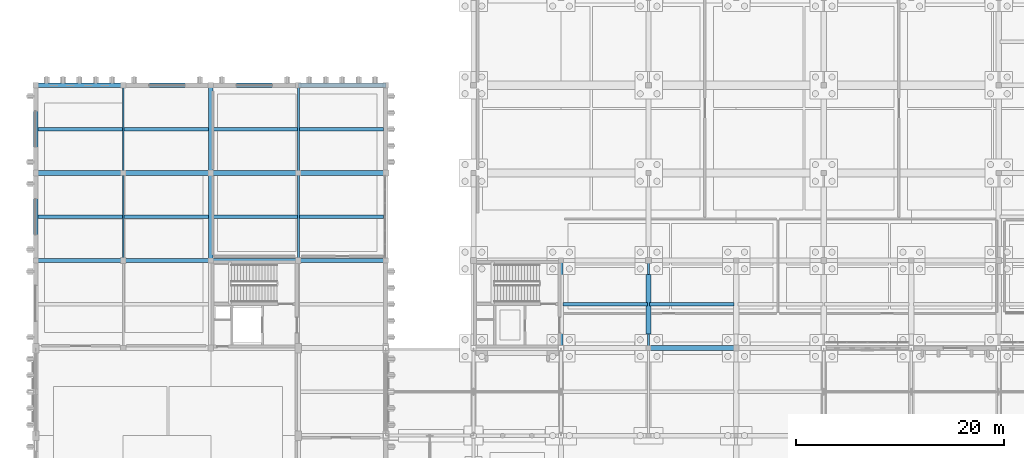
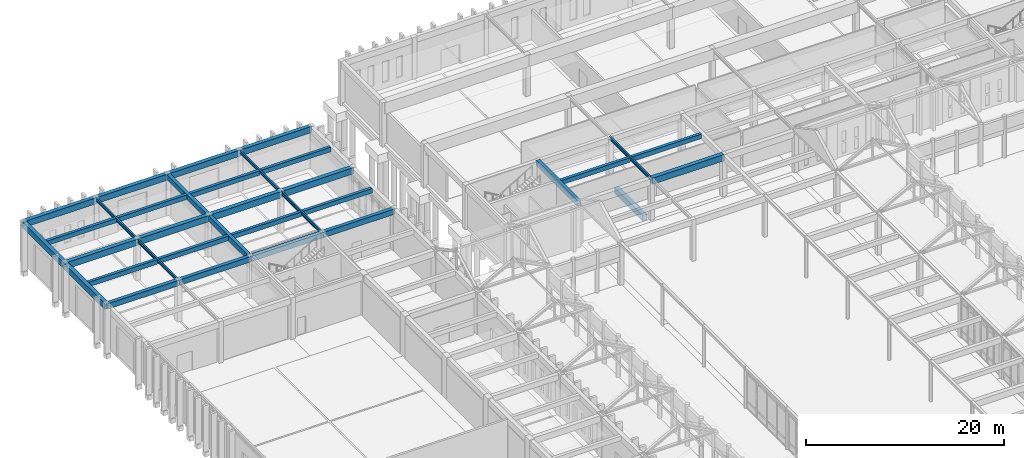
# One storey, part 54 of 143: 34 beams.
"""IFC4 building model written with IfcOpenShell, lengths in metres."""

from ifc_helpers import new_model, si_unit, direction, frame, origin, origin_2d, place, context, subcontext, project, spatial, rectangle, i_section, extrude, material, material_profile, profile_set, type_object, element, save


model = new_model("IFC4")

# Units and contexts
model_context = context("Model", 3, precision=1e-05, world=origin(), true_north=direction((0.0, 1.0)))
body_context = subcontext(model_context, "Body", "Model", "MODEL_VIEW")
ifc_project = project(units=[si_unit("LENGTHUNIT", "METRE"), si_unit("AREAUNIT", "SQUARE_METRE"), si_unit("VOLUMEUNIT", "CUBIC_METRE"), si_unit("PLANEANGLEUNIT", "RADIAN"), si_unit("MASSUNIT", "GRAM", prefix="KILO")], contexts=[model_context])

# Site, building, storey
site_placement = place(None, origin())
site = spatial("IfcSite", under=ifc_project, at=site_placement, CompositionType="ELEMENT")
building_placement = place(site_placement, origin())
building = spatial("IfcBuilding", under=site, at=building_placement, Name="Kveldsbrygga Polytechnic", CompositionType="ELEMENT")
storey_placement = place(building_placement, origin())
storey = spatial("IfcBuildingStorey", under=building, at=storey_placement, Name="L00", CompositionType="ELEMENT", Elevation=0.0)

# Beams
ifc_material_1 = material(Name="Concrete C35/45", Category="concrete")
ifc_material_profile_1 = material_profile(ifc_material_1, rectangle(XDim=0.39990234375, YDim=0.64990234375, at=origin_2d()), Name="RC 400x650")
ifc_profile_set_1 = profile_set([ifc_material_profile_1], Name="Concrete C35/45")
beam_type_1 = type_object("IfcBeamType", Name="BM-RC-400x650", PredefinedType="BEAM", material=ifc_profile_set_1)
beam_1_placement = place(storey_placement, frame((16.800048828125, 92.39990234375, 4.77490234375), z_axis=(0.0, 1.0, 0.0), x_axis=(-1.0, 0.0, 0.0)))
element("IfcBeam", 1, at=beam_1_placement, inside=storey, type_object=beam_type_1, Name="Primary Beam BMY-L00-02-11to12", PredefinedType="BEAM", context=body_context, shape_type="SweptSolid", body=[
    extrude(rectangle(XDim=0.39990234375, YDim=0.64990234375, at=origin_2d()), origin(), (0.0, 0.0, 1.0), 8.400146484375),
])
for number, where, z_axis, x_axis, name in (
    (2, (16.800048828125, 100.800048828125, 4.77490234375), (0.0, 1.0, 0.0), (-1.0, 0.0, 0.0), "Primary Beam BMY-L00-02-12to13"),
    (3, (50.39990234375, 84.0, 4.81494140625), (0.0, 1.0, 0.0), (-1.0, 0.0, 0.0), "Primary Beam BMY-L00-06-10to11"),
):
    element("IfcBeam", number, at=place(storey_placement, frame(where, z_axis=z_axis, x_axis=x_axis)), inside=storey, type_object=beam_type_1, Name=name, PredefinedType="BEAM", context=body_context, shape_type="SweptSolid", body=[
        extrude(rectangle(XDim=0.39990234375, YDim=0.64990234375, at=origin_2d()), origin(), (0.0, 0.0, 1.0), 8.39990234375),
    ])
ifc_material_profile_2 = material_profile(ifc_material_1, rectangle(XDim=0.419921875, YDim=0.679931640625, at=origin_2d()), Name="RC 420x680")
ifc_profile_set_2 = profile_set([ifc_material_profile_2], Name="Concrete C35/45")
beam_type_2 = type_object("IfcBeamType", Name="BM-RC-420x680", PredefinedType="BEAM", material=ifc_profile_set_2)
beam_2_placement = place(storey_placement, frame((0.0, 92.39990234375, 4.760009765625), z_axis=(1.0, 0.0, 0.0), x_axis=(0.0, 1.0, 0.0)))
element("IfcBeam", 4, at=beam_2_placement, inside=storey, type_object=beam_type_2, Name="Primary Beam BMX-L00-00to01-11", PredefinedType="BEAM", context=body_context, shape_type="SweptSolid", body=[
    extrude(rectangle(XDim=0.419921875, YDim=0.679931640625, at=origin_2d()), origin(), (0.0, 0.0, 1.0), 8.39990234375),
])
beam_3_placement = place(storey_placement, frame((8.39990234375, 92.39990234375, 4.760009765625), z_axis=(1.0, 0.0, 0.0), x_axis=(0.0, 1.0, 0.0)))
element("IfcBeam", 5, at=beam_3_placement, inside=storey, type_object=beam_type_2, Name="Primary Beam BMX-L00-01to02-11", PredefinedType="BEAM", context=body_context, shape_type="SweptSolid", body=[
    extrude(rectangle(XDim=0.419921875, YDim=0.679931640625, at=origin_2d()), origin(), (0.0, 0.0, 1.0), 8.400146484375),
])
beam_4_placement = place(storey_placement, frame((16.800048828125, 92.39990234375, 4.760009765625), z_axis=(1.0, 0.0, 0.0), x_axis=(0.0, 1.0, 0.0)))
element("IfcBeam", 6, at=beam_4_placement, inside=storey, type_object=beam_type_2, Name="Primary Beam BMX-L00-02to03-11", PredefinedType="BEAM", context=body_context, shape_type="SweptSolid", body=[
    extrude(rectangle(XDim=0.419921875, YDim=0.679931640625, at=origin_2d()), origin(), (0.0, 0.0, 1.0), 8.39990234375),
])
beam_5_placement = place(storey_placement, frame((25.199951171875, 92.39990234375, 4.760009765625), z_axis=(1.0, 0.0, 0.0), x_axis=(0.0, 1.0, 0.0)))
element("IfcBeam", 7, at=beam_5_placement, inside=storey, type_object=beam_type_2, Name="Primary Beam BMX-L00-03to04-11", PredefinedType="BEAM", context=body_context, shape_type="SweptSolid", body=[
    extrude(rectangle(XDim=0.419921875, YDim=0.679931640625, at=origin_2d()), origin(), (0.0, 0.0, 1.0), 8.400146484375),
])
ifc_material_profile_3 = material_profile(ifc_material_1, rectangle(XDim=0.449951171875, YDim=0.75, at=origin_2d()), Name="RC 450x750")
ifc_profile_set_3 = profile_set([ifc_material_profile_3], Name="Concrete C35/45")
beam_type_3 = type_object("IfcBeamType", Name="BM-RC-450x750", PredefinedType="BEAM", material=ifc_profile_set_3)
beam_6_placement = place(storey_placement, frame((0.0, 109.199951171875, 4.72509765625), z_axis=(1.0, 0.0, 0.0), x_axis=(0.0, 1.0, 0.0)))
element("IfcBeam", 8, at=beam_6_placement, inside=storey, type_object=beam_type_3, Name="Primary Beam BMX-L00-00to01-13", PredefinedType="BEAM", context=body_context, shape_type="SweptSolid", body=[
    extrude(rectangle(XDim=0.449951171875, YDim=0.75, at=origin_2d()), origin(), (0.0, 0.0, 1.0), 8.39990234375),
])
beam_7_placement = place(storey_placement, frame((8.39990234375, 109.199951171875, 4.72509765625), z_axis=(1.0, 0.0, 0.0), x_axis=(0.0, 1.0, 0.0)))
element("IfcBeam", 9, at=beam_7_placement, inside=storey, type_object=beam_type_3, Name="Primary Beam BMX-L00-01to02-13", PredefinedType="BEAM", context=body_context, shape_type="SweptSolid", body=[
    extrude(rectangle(XDim=0.449951171875, YDim=0.75, at=origin_2d()), origin(), (0.0, 0.0, 1.0), 8.400146484375),
])
beam_8_placement = place(storey_placement, frame((16.800048828125, 109.199951171875, 4.72509765625), z_axis=(1.0, 0.0, 0.0), x_axis=(0.0, 1.0, 0.0)))
element("IfcBeam", 10, at=beam_8_placement, inside=storey, type_object=beam_type_3, Name="Primary Beam BMX-L00-02to03-13", PredefinedType="BEAM", context=body_context, shape_type="SweptSolid", body=[
    extrude(rectangle(XDim=0.449951171875, YDim=0.75, at=origin_2d()), origin(), (0.0, 0.0, 1.0), 8.39990234375),
])
for number, where, z_axis, x_axis, name in (
    (11, (25.199951171875, 109.199951171875, 4.72509765625), (1.0, 0.0, 0.0), (0.0, 1.0, 0.0), "Primary Beam BMX-L00-03to04-13"),
    (12, (0.0, 92.39990234375, 4.72509765625), (0.0, 1.0, 0.0), (-1.0, 0.0, 0.0), "Primary Beam BMY-L00-00-11to12"),
):
    element("IfcBeam", number, at=place(storey_placement, frame(where, z_axis=z_axis, x_axis=x_axis)), inside=storey, type_object=beam_type_3, Name=name, PredefinedType="BEAM", context=body_context, shape_type="SweptSolid", body=[
        extrude(rectangle(XDim=0.449951171875, YDim=0.75, at=origin_2d()), origin(), (0.0, 0.0, 1.0), 8.400146484375),
    ])
beam_9_placement = place(storey_placement, frame((0.0, 100.800048828125, 4.72509765625), z_axis=(0.0, 1.0, 0.0), x_axis=(-1.0, 0.0, 0.0)))
element("IfcBeam", 13, at=beam_9_placement, inside=storey, type_object=beam_type_3, Name="Primary Beam BMY-L00-00-12to13", PredefinedType="BEAM", context=body_context, shape_type="SweptSolid", body=[
    extrude(rectangle(XDim=0.449951171875, YDim=0.75, at=origin_2d()), origin(), (0.0, 0.0, 1.0), 8.39990234375),
])
ifc_material_profile_4 = material_profile(ifc_material_1, rectangle(XDim=0.47998046875, YDim=0.780029296875, at=origin_2d()), Name="RC 480x780")
ifc_profile_set_4 = profile_set([ifc_material_profile_4], Name="Concrete C35/45")
beam_type_4 = type_object("IfcBeamType", Name="BM-RC-480x780", PredefinedType="BEAM", material=ifc_profile_set_4)
for number, where, z_axis, x_axis, name in (
    (14, (58.800048828125, 84.0, 4.75), (1.0, 0.0, 0.0), (0.0, 1.0, 0.0), "Primary Beam BMX-L00-07to08-10"),
    (15, (0.0, 100.800048828125, 4.7099609375), (1.0, 0.0, 0.0), (0.0, 1.0, 0.0), "Primary Beam BMX-L00-00to01-12"),
):
    element("IfcBeam", number, at=place(storey_placement, frame(where, z_axis=z_axis, x_axis=x_axis)), inside=storey, type_object=beam_type_4, Name=name, PredefinedType="BEAM", context=body_context, shape_type="SweptSolid", body=[
        extrude(rectangle(XDim=0.47998046875, YDim=0.780029296875, at=origin_2d()), origin(), (0.0, 0.0, 1.0), 8.39990234375),
    ])
beam_10_placement = place(storey_placement, frame((8.39990234375, 100.800048828125, 4.7099609375), z_axis=(1.0, 0.0, 0.0), x_axis=(0.0, 1.0, 0.0)))
element("IfcBeam", 16, at=beam_10_placement, inside=storey, type_object=beam_type_4, Name="Primary Beam BMX-L00-01to02-12", PredefinedType="BEAM", context=body_context, shape_type="SweptSolid", body=[
    extrude(rectangle(XDim=0.47998046875, YDim=0.780029296875, at=origin_2d()), origin(), (0.0, 0.0, 1.0), 8.400146484375),
])
beam_11_placement = place(storey_placement, frame((16.800048828125, 100.800048828125, 4.7099609375), z_axis=(1.0, 0.0, 0.0), x_axis=(0.0, 1.0, 0.0)))
element("IfcBeam", 17, at=beam_11_placement, inside=storey, type_object=beam_type_4, Name="Primary Beam BMX-L00-02to03-12", PredefinedType="BEAM", context=body_context, shape_type="SweptSolid", body=[
    extrude(rectangle(XDim=0.47998046875, YDim=0.780029296875, at=origin_2d()), origin(), (0.0, 0.0, 1.0), 8.39990234375),
])
beam_12_placement = place(storey_placement, frame((25.199951171875, 100.800048828125, 4.7099609375), z_axis=(1.0, 0.0, 0.0), x_axis=(0.0, 1.0, 0.0)))
element("IfcBeam", 18, at=beam_12_placement, inside=storey, type_object=beam_type_4, Name="Primary Beam BMX-L00-03to04-12", PredefinedType="BEAM", context=body_context, shape_type="SweptSolid", body=[
    extrude(rectangle(XDim=0.47998046875, YDim=0.780029296875, at=origin_2d()), origin(), (0.0, 0.0, 1.0), 8.400146484375),
])
ifc_material_2 = material(Name="Steel S355", Category="steel")
ifc_material_profile_5 = material_profile(ifc_material_2, i_section(OverallWidth=0.179931640625, OverallDepth=0.39990234375, WebThickness=0.008544921875, FlangeThickness=0.013427734375, FilletRadius=0.02099609375, at=origin_2d()), Name="IPE 400")
ifc_profile_set_5 = profile_set([ifc_material_profile_5], Name="Steel S355")
beam_type_5 = type_object("IfcBeamType", Name="BM-STL-IPE400", PredefinedType="BEAM", material=ifc_profile_set_5)
beam_13_placement = place(storey_placement, frame((8.39990234375, 92.39990234375, 4.89990234375), z_axis=(0.0, 1.0, 0.0), x_axis=(-1.0, 0.0, 0.0)))
element("IfcBeam", 19, at=beam_13_placement, inside=storey, type_object=beam_type_5, Name="Primary Beam BMY-L00-01-11to12", PredefinedType="BEAM", context=body_context, shape_type="SweptSolid", body=[
    extrude(i_section(OverallWidth=0.179931640625, OverallDepth=0.39990234375, WebThickness=0.008544921875, FlangeThickness=0.013427734375, FilletRadius=0.02099609375, at=origin_2d()), origin(), (0.0, 0.0, 1.0), 8.400146484375),
])
beam_14_placement = place(storey_placement, frame((8.39990234375, 100.800048828125, 4.89990234375), z_axis=(0.0, 1.0, 0.0), x_axis=(-1.0, 0.0, 0.0)))
element("IfcBeam", 20, at=beam_14_placement, inside=storey, type_object=beam_type_5, Name="Primary Beam BMY-L00-01-12to13", PredefinedType="BEAM", context=body_context, shape_type="SweptSolid", body=[
    extrude(i_section(OverallWidth=0.179931640625, OverallDepth=0.39990234375, WebThickness=0.008544921875, FlangeThickness=0.013427734375, FilletRadius=0.02099609375, at=origin_2d()), origin(), (0.0, 0.0, 1.0), 8.39990234375),
])
beam_15_placement = place(storey_placement, frame((25.199951171875, 92.39990234375, 4.89990234375), z_axis=(0.0, 1.0, 0.0), x_axis=(-1.0, 0.0, 0.0)))
element("IfcBeam", 21, at=beam_15_placement, inside=storey, type_object=beam_type_5, Name="Primary Beam BMY-L00-03-11to12", PredefinedType="BEAM", context=body_context, shape_type="SweptSolid", body=[
    extrude(i_section(OverallWidth=0.179931640625, OverallDepth=0.39990234375, WebThickness=0.008544921875, FlangeThickness=0.013427734375, FilletRadius=0.02099609375, at=origin_2d()), origin(), (0.0, 0.0, 1.0), 8.400146484375),
])
for number, where, z_axis, x_axis, name in (
    (22, (25.199951171875, 100.800048828125, 4.89990234375), (0.0, 1.0, 0.0), (-1.0, 0.0, 0.0), "Primary Beam BMY-L00-03-12to13"),
    (23, (58.800048828125, 84.0, 4.93994140625), (0.0, 1.0, 0.0), (-1.0, 0.0, 0.0), "Primary Beam BMY-L00-07-10to11"),
):
    element("IfcBeam", number, at=place(storey_placement, frame(where, z_axis=z_axis, x_axis=x_axis)), inside=storey, type_object=beam_type_5, Name=name, PredefinedType="BEAM", context=body_context, shape_type="SweptSolid", body=[
        extrude(i_section(OverallWidth=0.179931640625, OverallDepth=0.39990234375, WebThickness=0.008544921875, FlangeThickness=0.013427734375, FilletRadius=0.02099609375, at=origin_2d()), origin(), (0.0, 0.0, 1.0), 8.39990234375),
    ])
ifc_material_profile_6 = material_profile(ifc_material_1, rectangle(XDim=0.5, YDim=0.699951171875, at=origin_2d()), Name="RC 500x700")
ifc_profile_set_6 = profile_set([ifc_material_profile_6], Name="Concrete C35/45")
beam_type_6 = type_object("IfcBeamType", Name="BM-TIE-500x700", PredefinedType="BEAM", material=ifc_profile_set_6)
beam_16_placement = place(storey_placement, frame((58.800048828125, 85.326904296875, -0.669921875), z_axis=(0.0, 1.0, 0.0), x_axis=(-1.0, 0.0, 0.0)))
element("IfcBeam", 24, at=beam_16_placement, inside=storey, type_object=beam_type_6, Name="Ground Tie Beam GB-L00-Y-07-10", PredefinedType="BEAM", context=body_context, shape_type="SweptSolid", body=[
    extrude(rectangle(XDim=0.5, YDim=0.699951171875, at=origin_2d()), origin(), (0.0, 0.0, 1.0), 5.74609375),
])
ifc_material_profile_7 = material_profile(ifc_material_1, rectangle(XDim=0.340087890625, YDim=0.56005859375, at=origin_2d()), Name="RC 340x560")
ifc_profile_set_7 = profile_set([ifc_material_profile_7], Name="Concrete C35/45")
beam_type_7 = type_object("IfcBeamType", Name="JST-RC-340x560", PredefinedType="JOIST", material=ifc_profile_set_7)
beam_17_placement = place(storey_placement, frame((0.22509765625, 96.60009765625, 4.820068359375), z_axis=(1.0, 0.0, 0.0), x_axis=(0.0, 1.0, 0.0)))
element("IfcBeam", 25, at=beam_17_placement, inside=storey, type_object=beam_type_7, Name="Secondary Joist JST-L00-00-11", PredefinedType="JOIST", context=body_context, shape_type="SweptSolid", body=[
    extrude(rectangle(XDim=0.340087890625, YDim=0.56005859375, at=origin_2d()), origin(), (0.0, 0.0, 1.0), 8.0849609375),
])
for number, where, z_axis, x_axis, name in (
    (26, (8.489990234375, 105.0, 4.820068359375), (1.0, 0.0, 0.0), (0.0, 1.0, 0.0), "Secondary Joist JST-L00-01-12"),
    (27, (17.0, 96.60009765625, 4.820068359375), (1.0, 0.0, 0.0), (0.0, 1.0, 0.0), "Secondary Joist JST-L00-02-11"),
):
    element("IfcBeam", number, at=place(storey_placement, frame(where, z_axis=z_axis, x_axis=x_axis)), inside=storey, type_object=beam_type_7, Name=name, PredefinedType="JOIST", context=body_context, shape_type="SweptSolid", body=[
        extrude(rectangle(XDim=0.340087890625, YDim=0.56005859375, at=origin_2d()), origin(), (0.0, 0.0, 1.0), 8.110107421875),
    ])
beam_18_placement = place(storey_placement, frame((25.2900390625, 105.0, 4.820068359375), z_axis=(1.0, 0.0, 0.0), x_axis=(0.0, 1.0, 0.0)))
element("IfcBeam", 28, at=beam_18_placement, inside=storey, type_object=beam_type_7, Name="Secondary Joist JST-L00-03-12", PredefinedType="JOIST", context=body_context, shape_type="SweptSolid", body=[
    extrude(rectangle(XDim=0.340087890625, YDim=0.56005859375, at=origin_2d()), origin(), (0.0, 0.0, 1.0), 8.0849609375),
])
beam_19_placement = place(storey_placement, frame((58.889892578125, 88.199951171875, 4.860107421875), z_axis=(1.0, 0.0, 0.0), x_axis=(0.0, 1.0, 0.0)))
element("IfcBeam", 29, at=beam_19_placement, inside=storey, type_object=beam_type_7, Name="Secondary Joist JST-L00-07-10", PredefinedType="JOIST", context=body_context, shape_type="SweptSolid", body=[
    extrude(rectangle(XDim=0.340087890625, YDim=0.56005859375, at=origin_2d()), origin(), (0.0, 0.0, 1.0), 8.110107421875),
])
ifc_material_profile_8 = material_profile(ifc_material_1, rectangle(XDim=0.35009765625, YDim=0.550048828125, at=origin_2d()), Name="RC 350x550")
ifc_profile_set_8 = profile_set([ifc_material_profile_8], Name="Concrete C35/45")
beam_type_8 = type_object("IfcBeamType", Name="JST-RC-350x550", PredefinedType="JOIST", material=ifc_profile_set_8)
beam_20_placement = place(storey_placement, frame((0.22509765625, 105.0, 4.824951171875), z_axis=(1.0, 0.0, 0.0), x_axis=(0.0, 1.0, 0.0)))
element("IfcBeam", 30, at=beam_20_placement, inside=storey, type_object=beam_type_8, Name="Secondary Joist JST-L00-00-12", PredefinedType="JOIST", context=body_context, shape_type="SweptSolid", body=[
    extrude(rectangle(XDim=0.35009765625, YDim=0.550048828125, at=origin_2d()), origin(), (0.0, 0.0, 1.0), 8.0849609375),
])
for number, where, z_axis, x_axis, name in (
    (31, (8.489990234375, 96.60009765625, 4.824951171875), (1.0, 0.0, 0.0), (0.0, 1.0, 0.0), "Secondary Joist JST-L00-01-11"),
    (32, (17.0, 105.0, 4.824951171875), (1.0, 0.0, 0.0), (0.0, 1.0, 0.0), "Secondary Joist JST-L00-02-12"),
):
    element("IfcBeam", number, at=place(storey_placement, frame(where, z_axis=z_axis, x_axis=x_axis)), inside=storey, type_object=beam_type_8, Name=name, PredefinedType="JOIST", context=body_context, shape_type="SweptSolid", body=[
        extrude(rectangle(XDim=0.35009765625, YDim=0.550048828125, at=origin_2d()), origin(), (0.0, 0.0, 1.0), 8.110107421875),
    ])
beam_21_placement = place(storey_placement, frame((25.2900390625, 96.60009765625, 4.824951171875), z_axis=(1.0, 0.0, 0.0), x_axis=(0.0, 1.0, 0.0)))
element("IfcBeam", 33, at=beam_21_placement, inside=storey, type_object=beam_type_8, Name="Secondary Joist JST-L00-03-11", PredefinedType="JOIST", context=body_context, shape_type="SweptSolid", body=[
    extrude(rectangle(XDim=0.35009765625, YDim=0.550048828125, at=origin_2d()), origin(), (0.0, 0.0, 1.0), 8.0849609375),
])
beam_22_placement = place(storey_placement, frame((50.60009765625, 88.199951171875, 4.864990234375), z_axis=(1.0, 0.0, 0.0), x_axis=(0.0, 1.0, 0.0)))
element("IfcBeam", 34, at=beam_22_placement, inside=storey, type_object=beam_type_8, Name="Secondary Joist JST-L00-06-10", PredefinedType="JOIST", context=body_context, shape_type="SweptSolid", body=[
    extrude(rectangle(XDim=0.35009765625, YDim=0.550048828125, at=origin_2d()), origin(), (0.0, 0.0, 1.0), 8.10986328125),
])

save(model, "model.ifc")
